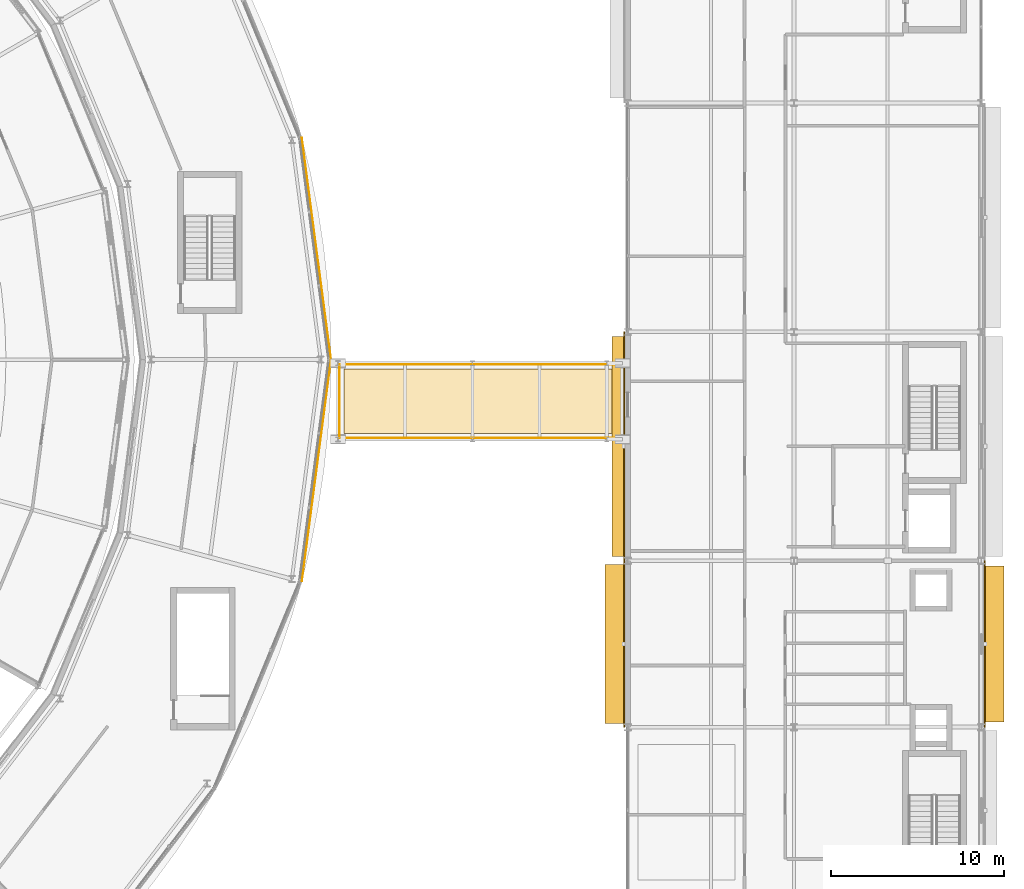
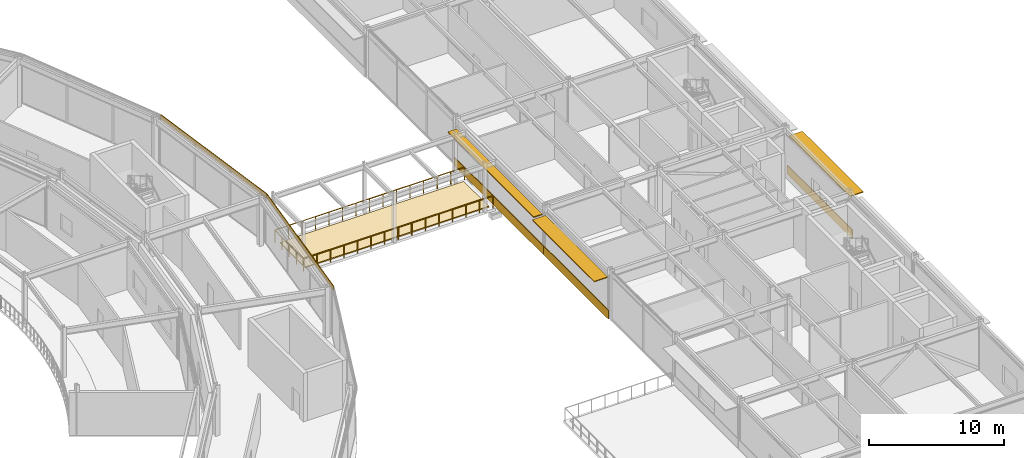
# One storey, part 154 of 157: 6 coverings, 3 railings, 3 shading devices.
"""IFC4 building model written with IfcOpenShell, lengths in metres."""

from ifc_helpers import new_model, si_unit, direction, frame, origin, origin_2d, place, context, subcontext, project, spatial, polyline, rectangle, circle, outline, extrude, material, layer, layer_set, type_object, element, save


model = new_model("IFC4")

# Units and contexts
model_context = context("Model", 3, precision=1e-05, world=origin(), true_north=direction((0.0, 1.0)))
body_context = subcontext(model_context, "Body", "Model", "MODEL_VIEW")
ifc_project = project(units=[si_unit("LENGTHUNIT", "METRE"), si_unit("AREAUNIT", "SQUARE_METRE"), si_unit("VOLUMEUNIT", "CUBIC_METRE"), si_unit("PLANEANGLEUNIT", "RADIAN"), si_unit("MASSUNIT", "GRAM", prefix="KILO")], contexts=[model_context])

# Site, building, storey
site_placement = place(None, origin())
site = spatial("IfcSite", under=ifc_project, at=site_placement, CompositionType="ELEMENT")
building_placement = place(site_placement, origin())
building = spatial("IfcBuilding", under=site, at=building_placement, Name="Almandine Court Research Institute", CompositionType="ELEMENT")
storey_placement = place(building_placement, frame((0.0, 0.0, 5.25)))
storey = spatial("IfcBuildingStorey", under=building, at=storey_placement, Name="L01", CompositionType="ELEMENT", Elevation=5.25)

# Coverings
ifc_material_1 = material(Name="Honed Andean Red-Buff Sandstone Cladding", Category="masonry")
ifc_layer_1 = layer(ifc_material_1, 0.06494140625)
ifc_layer_set_1 = layer_set([ifc_layer_1], Name="Honed Andean Red-Buff Sandstone Cladding")
covering_type_1 = type_object("IfcCoveringType", Name="Cov-CLAD-SAND", PredefinedType="CLADDING", material=ifc_layer_set_1)
covering_1_placement = place(storey_placement, frame((153.39892578125, 39.60009765625, 0.02001953125), z_axis=(0.0, 0.0, 1.0), x_axis=(0.0, 1.0, 0.0)))
element("IfcCovering", 1, at=covering_1_placement, inside=storey, type_object=covering_type_1, Name="L01 Facade Spandrel Cladding Band 121", PredefinedType="CLADDING", context=body_context, shape_type="SweptSolid", body=[
    extrude(rectangle(XDim=9.592041015625, YDim=0.06494140625, at=origin_2d()), origin(), (0.0, 0.0, 1.0), 0.800048828125),
])
covering_2_placement = place(storey_placement, frame((153.39892578125, 51.0, 0.02001953125), z_axis=(0.0, 0.0, 1.0), x_axis=(0.0, 1.0, 0.0)))
element("IfcCovering", 2, at=covering_2_placement, inside=storey, type_object=covering_type_1, Name="L01 Facade Spandrel Cladding Band 122", PredefinedType="CLADDING", context=body_context, shape_type="SweptSolid", body=[
    extrude(rectangle(XDim=13.19189453125, YDim=0.06494140625, at=origin_2d()), origin(), (0.0, 0.0, 1.0), 0.800048828125),
])
covering_3_placement = place(storey_placement, frame((174.200927734375, 39.60009765625, 0.02001953125), z_axis=(0.0, 0.0, 1.0), x_axis=(0.0, -1.0, 0.0)))
element("IfcCovering", 3, at=covering_3_placement, inside=storey, type_object=covering_type_1, Name="L01 Facade Spandrel Cladding Band 131", PredefinedType="CLADDING", context=body_context, shape_type="SweptSolid", body=[
    extrude(rectangle(XDim=9.592041015625, YDim=0.06494140625, at=origin_2d()), origin(), (0.0, 0.0, 1.0), 0.800048828125),
])
ifc_material_2 = material(Name="Extruded Cream-Ochre Seismic Terracotta Spandrel", Category="masonry")
ifc_layer_2 = layer(ifc_material_2, 0.054931640625)
ifc_layer_set_2 = layer_set([ifc_layer_2], Name="Extruded Cream-Ochre Seismic Terracotta Spandrel")
covering_type_2 = type_object("IfcCoveringType", Name="Cov-CLAD-TERR", PredefinedType="CLADDING", material=ifc_layer_set_2)
for number, where, z_axis, x_axis, name in (
    (4, (135.638916015625, 49.595947265625, 3.97998046875), (0.0, 0.0, 1.0), (-0.13052619222, -0.991444861374, 0.0), "L01 Drum Stacked Terracotta Ring Band 23"),
    (5, (135.638916015625, 62.404052734375, 3.97998046875), (0.0, 0.0, 1.0), (0.13052619222, -0.991444861374, 0.0), "L01 Drum Stacked Terracotta Ring Band 00"),
):
    element("IfcCovering", number, at=place(storey_placement, frame(where, z_axis=z_axis, x_axis=x_axis)), inside=storey, type_object=covering_type_2, Name=name, PredefinedType="CLADDING", context=body_context, shape_type="SweptSolid", body=[
        extrude(rectangle(XDim=12.8779296875, YDim=0.054931640625, at=origin_2d()), origin(), (0.0, 0.0, 1.0), 0.419921875),
    ])
ifc_material_3 = material(Name="Thermoplastic Polyolefin Insulated Roof Membrane")
ifc_layer_3 = layer(ifc_material_3, 0.094970703125)
ifc_layer_set_3 = layer_set([ifc_layer_3], Name="Thermoplastic Polyolefin Insulated Roof Membrane")
covering_type_3 = type_object("IfcCoveringType", Name="Cov-ROOF-MEMB", PredefinedType="ROOFING", material=ifc_layer_set_3)
covering_4_placement = place(storey_placement, origin())
element("IfcCovering", 6, at=covering_4_placement, inside=storey, type_object=covering_type_3, Name="L01 Planted Green Roof Covering 21", PredefinedType="ROOFING", context=body_context, shape_type="SweptSolid", body=[
    extrude(outline(polyline([(137.25, 51.75), (137.25, 55.449951171875), (152.949951171875, 55.449951171875), (152.949951171875, 51.75), (137.25, 51.75)])), origin(), (0.0, 0.0, 1.0), 0.094970703125),
])

# Railings
ifc_material_4 = material(Name="Architectural Powder-Coated Aluminium Balustrade", Category="aluminium")
railing_type = type_object("IfcRailingType", Name="Rail-BAL-EXT", PredefinedType="BALUSTRADE", material=ifc_material_4)
railing_1_placement = place(storey_placement, frame((136.97998046875, 51.47998046875, 0.0)))
element("IfcRailing", 7, at=railing_1_placement, inside=storey, type_object=railing_type, Name="L01 Terrace Perimeter Balustrade 158", PredefinedType="BALUSTRADE", context=body_context, shape_type="SweptSolid", body=[
    extrude(circle(Radius=0.02392578125, at=origin_2d()), frame((0.0, 0.0, 1.1259765625), z_axis=(0.0, 1.0, 0.0), x_axis=(-1.0, 0.0, 0.0)), (0.0, 0.0, 1.0), 4.239990234375),
    extrude(circle(Radius=0.02099609375, at=origin_2d()), origin(), (0.0, 0.0, 1.0), 1.101806640625),
    extrude(circle(Radius=0.02099609375, at=origin_2d()), frame((0.0, 1.06005859375, 0.0)), (0.0, 0.0, 1.0), 1.101806640625),
    extrude(circle(Radius=0.02099609375, at=origin_2d()), frame((0.0, 2.1201171875, 0.0)), (0.0, 0.0, 1.0), 1.101806640625),
    extrude(circle(Radius=0.02099609375, at=origin_2d()), frame((0.0, 3.179931640625, 0.0)), (0.0, 0.0, 1.0), 1.101806640625),
    extrude(circle(Radius=0.02099609375, at=origin_2d()), frame((0.0, 4.239990234375, 0.0)), (0.0, 0.0, 1.0), 1.101806640625),
])
railing_2_placement = place(storey_placement, frame((136.97998046875, 55.719970703125, 0.0)))
element("IfcRailing", 8, at=railing_2_placement, inside=storey, type_object=railing_type, Name="L01 Terrace Perimeter Balustrade 159", PredefinedType="BALUSTRADE", context=body_context, shape_type="SweptSolid", body=[
    extrude(circle(Radius=0.02392578125, at=origin_2d()), frame((0.0, 0.0, 1.1259765625), z_axis=(1.0, 0.0, 0.0), x_axis=(0.0, 1.0, 0.0)), (0.0, 0.0, 1.0), 16.169921875),
    extrude(circle(Radius=0.02099609375, at=origin_2d()), origin(), (0.0, 0.0, 1.0), 1.101806640625),
    extrude(circle(Radius=0.02099609375, at=origin_2d()), frame((1.155029296875, 0.0, 0.0)), (0.0, 0.0, 1.0), 1.101806640625),
    extrude(circle(Radius=0.02099609375, at=origin_2d()), frame((2.31005859375, 0.0, 0.0)), (0.0, 0.0, 1.0), 1.101806640625),
    extrude(circle(Radius=0.02099609375, at=origin_2d()), frame((3.465087890625, 0.0, 0.0)), (0.0, 0.0, 1.0), 1.101806640625),
    extrude(circle(Radius=0.02099609375, at=origin_2d()), frame((4.619873046875, 0.0, 0.0)), (0.0, 0.0, 1.0), 1.101806640625),
    extrude(circle(Radius=0.02099609375, at=origin_2d()), frame((5.77490234375, 0.0, 0.0)), (0.0, 0.0, 1.0), 1.101806640625),
    extrude(circle(Radius=0.02099609375, at=origin_2d()), frame((6.929931640625, 0.0, 0.0)), (0.0, 0.0, 1.0), 1.101806640625),
    extrude(circle(Radius=0.02099609375, at=origin_2d()), frame((8.0849609375, 0.0, 0.0)), (0.0, 0.0, 1.0), 1.101806640625),
    extrude(circle(Radius=0.02099609375, at=origin_2d()), frame((9.239990234375, 0.0, 0.0)), (0.0, 0.0, 1.0), 1.101806640625),
    extrude(circle(Radius=0.02099609375, at=origin_2d()), frame((10.39501953125, 0.0, 0.0)), (0.0, 0.0, 1.0), 1.101806640625),
    extrude(circle(Radius=0.02099609375, at=origin_2d()), frame((11.550048828125, 0.0, 0.0)), (0.0, 0.0, 1.0), 1.101806640625),
    extrude(circle(Radius=0.02099609375, at=origin_2d()), frame((12.704833984375, 0.0, 0.0)), (0.0, 0.0, 1.0), 1.101806640625),
    extrude(circle(Radius=0.02099609375, at=origin_2d()), frame((13.85986328125, 0.0, 0.0)), (0.0, 0.0, 1.0), 1.101806640625),
    extrude(circle(Radius=0.02099609375, at=origin_2d()), frame((15.014892578125, 0.0, 0.0)), (0.0, 0.0, 1.0), 1.101806640625),
    extrude(circle(Radius=0.02099609375, at=origin_2d()), frame((16.169921875, 0.0, 0.0)), (0.0, 0.0, 1.0), 1.101806640625),
])
railing_3_placement = place(storey_placement, frame((153.14990234375, 51.47998046875, 0.0)))
element("IfcRailing", 9, at=railing_3_placement, inside=storey, type_object=railing_type, Name="L01 Terrace Perimeter Balustrade 160", PredefinedType="BALUSTRADE", context=body_context, shape_type="SweptSolid", body=[
    extrude(circle(Radius=0.02392578125, at=origin_2d()), frame((0.0, 0.0, 1.1259765625), z_axis=(-1.0, 0.0, 0.0), x_axis=(0.0, -1.0, 0.0)), (0.0, 0.0, 1.0), 16.169921875),
    extrude(circle(Radius=0.02099609375, at=origin_2d()), origin(), (0.0, 0.0, 1.0), 1.101806640625),
    extrude(circle(Radius=0.02099609375, at=origin_2d()), frame((-1.155029296875, 0.0, 0.0)), (0.0, 0.0, 1.0), 1.101806640625),
    extrude(circle(Radius=0.02099609375, at=origin_2d()), frame((-2.31005859375, 0.0, 0.0)), (0.0, 0.0, 1.0), 1.101806640625),
    extrude(circle(Radius=0.02099609375, at=origin_2d()), frame((-3.465087890625, 0.0, 0.0)), (0.0, 0.0, 1.0), 1.101806640625),
    extrude(circle(Radius=0.02099609375, at=origin_2d()), frame((-4.619873046875, 0.0, 0.0)), (0.0, 0.0, 1.0), 1.101806640625),
    extrude(circle(Radius=0.02099609375, at=origin_2d()), frame((-5.77490234375, 0.0, 0.0)), (0.0, 0.0, 1.0), 1.101806640625),
    extrude(circle(Radius=0.02099609375, at=origin_2d()), frame((-6.929931640625, 0.0, 0.0)), (0.0, 0.0, 1.0), 1.101806640625),
    extrude(circle(Radius=0.02099609375, at=origin_2d()), frame((-8.0849609375, 0.0, 0.0)), (0.0, 0.0, 1.0), 1.101806640625),
    extrude(circle(Radius=0.02099609375, at=origin_2d()), frame((-9.239990234375, 0.0, 0.0)), (0.0, 0.0, 1.0), 1.101806640625),
    extrude(circle(Radius=0.02099609375, at=origin_2d()), frame((-10.39501953125, 0.0, 0.0)), (0.0, 0.0, 1.0), 1.101806640625),
    extrude(circle(Radius=0.02099609375, at=origin_2d()), frame((-11.550048828125, 0.0, 0.0)), (0.0, 0.0, 1.0), 1.101806640625),
    extrude(circle(Radius=0.02099609375, at=origin_2d()), frame((-12.704833984375, 0.0, 0.0)), (0.0, 0.0, 1.0), 1.101806640625),
    extrude(circle(Radius=0.02099609375, at=origin_2d()), frame((-13.85986328125, 0.0, 0.0)), (0.0, 0.0, 1.0), 1.101806640625),
    extrude(circle(Radius=0.02099609375, at=origin_2d()), frame((-15.014892578125, 0.0, 0.0)), (0.0, 0.0, 1.0), 1.101806640625),
    extrude(circle(Radius=0.02099609375, at=origin_2d()), frame((-16.169921875, 0.0, 0.0)), (0.0, 0.0, 1.0), 1.101806640625),
])

# Shading devices
ifc_material_5 = material(Name="Precast GFRC Chhajja Sunshade and Acoustic Louvre", Category="concrete")
ifc_layer_4 = layer(ifc_material_5, 0.080078125)
ifc_layer_set_4 = layer_set([ifc_layer_4], Name="Precast GFRC Chhajja Sunshade and Acoustic Louvre")
shading_device_type_1 = type_object("IfcShadingDeviceType", Name="Shd-SD-08", PredefinedType="AWNING", material=ifc_layer_set_4)
shading_device_1_placement = place(storey_placement, frame((152.864990234375, 39.60009765625, 3.613037109375), z_axis=(0.0, 0.0, 1.0), x_axis=(0.0, 1.0, 0.0)))
element("IfcShadingDevice", 10, at=shading_device_1_placement, inside=storey, type_object=shading_device_type_1, Name="L01 Projecting Chhajja Sunshade 77", PredefinedType="AWNING", context=body_context, shape_type="SweptSolid", body=[
    extrude(rectangle(XDim=9.162109375, YDim=1.14990234375, at=origin_2d()), origin(), (0.0, 0.0, 1.0), 0.080078125),
])
ifc_layer_5 = layer(ifc_material_5, 0.080078125)
ifc_layer_set_5 = layer_set([ifc_layer_5], Name="Precast GFRC Chhajja Sunshade and Acoustic Louvre")
shading_device_type_2 = type_object("IfcShadingDeviceType", Name="Shd-SD-23", PredefinedType="AWNING", material=ifc_layer_set_5)
shading_device_2_placement = place(storey_placement, frame((174.735107421875, 39.60009765625, 3.60400390625), z_axis=(0.0, 0.0, 1.0), x_axis=(0.0, -1.0, 0.0)))
element("IfcShadingDevice", 11, at=shading_device_2_placement, inside=storey, type_object=shading_device_type_2, Name="L01 Projecting Chhajja Sunshade 87", PredefinedType="AWNING", context=body_context, shape_type="SweptSolid", body=[
    extrude(rectangle(XDim=9.001953125, YDim=1.14990234375, at=origin_2d()), origin(), (0.0, 0.0, 1.0), 0.080078125),
])
ifc_layer_6 = layer(ifc_material_5, 0.080078125)
ifc_layer_set_6 = layer_set([ifc_layer_6], Name="Precast GFRC Chhajja Sunshade and Acoustic Louvre")
shading_device_type_3 = type_object("IfcShadingDeviceType", Name="Shd-SD-47", PredefinedType="AWNING", material=ifc_layer_set_6)
shading_device_3_placement = place(storey_placement, frame((153.06494140625, 51.0, 3.43994140625), z_axis=(0.0, 0.0, 1.0), x_axis=(0.0, 1.0, 0.0)))
element("IfcShadingDevice", 12, at=shading_device_3_placement, inside=storey, type_object=shading_device_type_3, Name="L01 Projecting Chhajja Sunshade 78", PredefinedType="AWNING", context=body_context, shape_type="SweptSolid", body=[
    extrude(rectangle(XDim=12.681884765625, YDim=0.75, at=origin_2d()), origin(), (0.0, 0.0, 1.0), 0.080078125),
])

save(model, "model.ifc")
